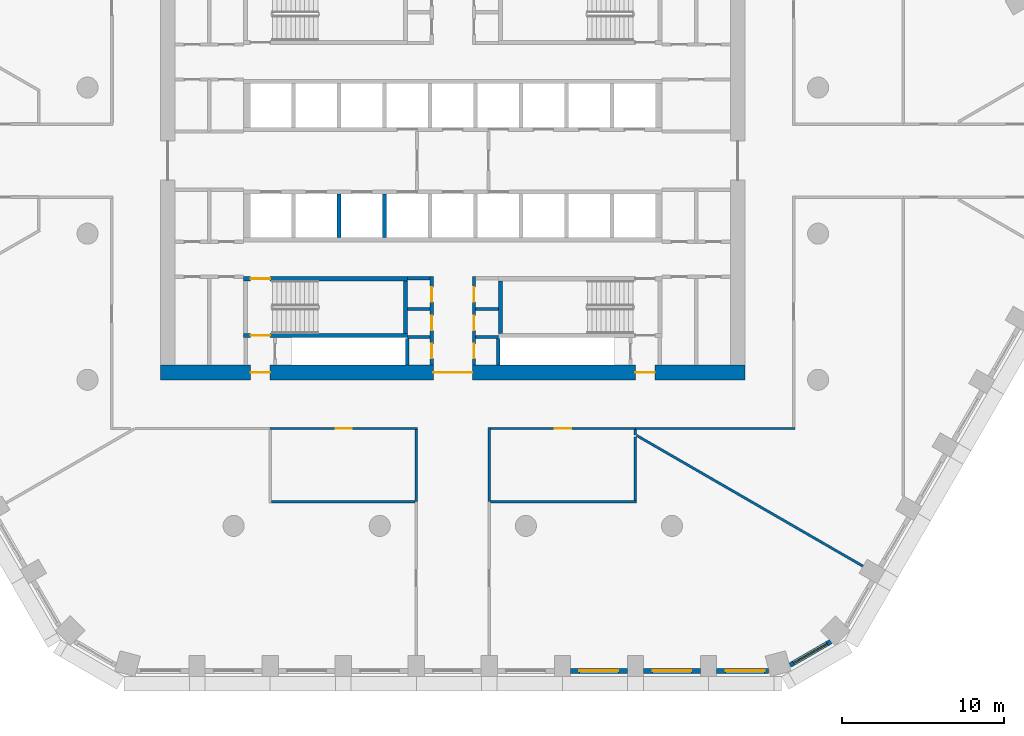
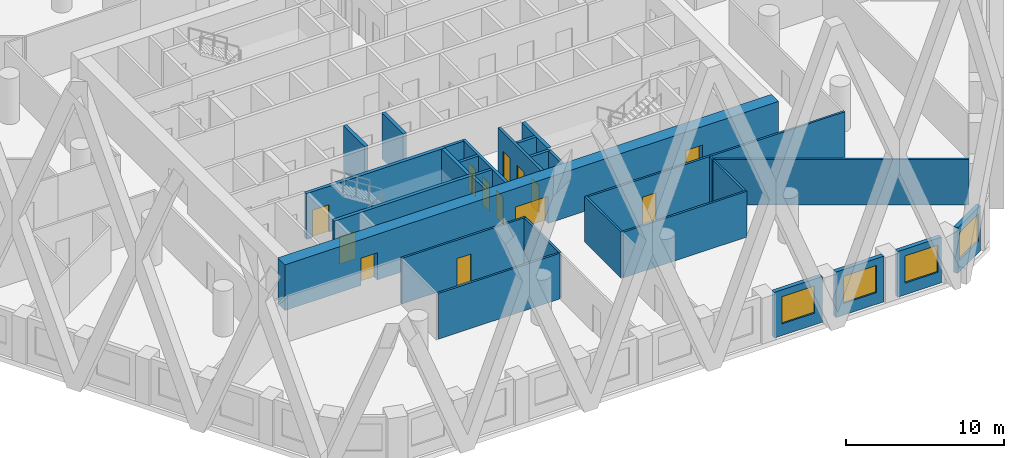
# One storey, part 3 of 18: 30 walls, 13 doors, 4 windows, 17 openings.
"""IFC4 building model written with IfcOpenShell, lengths in metres."""

from ifc_helpers import new_model, si_unit, direction, frame, frame_2d, origin, place, context, subcontext, project, spatial, polyline, rectangle, outline, extrude, material, layer, layer_set, type_object, element, fill, save


model = new_model("IFC4")

# Units and contexts
model_context = context("Model", 3, precision=1e-05, world=origin(), true_north=direction((0.0, 1.0)))
body_context = subcontext(model_context, "Body", "Model", "MODEL_VIEW")
ifc_project = project(units=[si_unit("LENGTHUNIT", "METRE"), si_unit("AREAUNIT", "SQUARE_METRE"), si_unit("VOLUMEUNIT", "CUBIC_METRE"), si_unit("PLANEANGLEUNIT", "RADIAN"), si_unit("MASSUNIT", "GRAM", prefix="KILO")], contexts=[model_context])

# Site, building, storey
site_placement = place(None, origin())
site = spatial("IfcSite", under=ifc_project, at=site_placement, CompositionType="ELEMENT")
building_placement = place(site_placement, origin())
building = spatial("IfcBuilding", under=site, at=building_placement, Name="Dhurran Vertical Campus", CompositionType="ELEMENT")
storey_placement = place(building_placement, frame((0.0, 0.0, 104.699951171875)))
storey = spatial("IfcBuildingStorey", under=building, at=storey_placement, Name="L25", CompositionType="ELEMENT", Elevation=104.699951171875)

# Wall, opening, window
ifc_material_1 = material(Name="Precast concrete C50/60", Category="concrete")
ifc_layer_1 = layer(ifc_material_1, 0.300048828125)
ifc_layer_set_1 = layer_set([ifc_layer_1], Name="Precast concrete C50/60")
wall_type_1 = type_object("IfcWallType", Name="Precast spandrel wall 300", PredefinedType="SOLIDWALL", material=ifc_layer_set_1)
wall_1_placement = place(storey_placement, frame((7.25048828125, -31.4296875, 0.0), z_axis=(0.0, 0.0, 1.0), x_axis=(1.0, 0.0, 0.0)))
wall_1 = element("IfcWall", 1, at=wall_1_placement, inside=storey, type_object=wall_type_1, Name="EW1 L25.06", PredefinedType="SOLIDWALL", context=body_context, shape_type="SweptSolid", body=[
    extrude(rectangle(XDim=3.4990234375, YDim=0.300048828125, at=frame_2d((1.74951171875, 0.0))), origin(), (0.0, 0.0, 1.0), 3.525146484375),
])
opening_1_placement = place(wall_1_placement, frame((0.549560546875, 0.0, 0.89990234375)))
opening_1 = element("IfcOpeningElement", 2, at=opening_1_placement, cuts=wall_1, Name="Opening WT1", PredefinedType="OPENING", context=body_context, shape_type="SweptSolid", body=[
    extrude(rectangle(XDim=2.39990234375, YDim=2.10009765625, at=frame_2d((1.199951171875, 1.050048828125))), frame((0.0, 0.159912109375, 0.0), z_axis=(0.0, -1.0, 0.0), x_axis=(1.0, 0.0, 0.0)), (0.0, 0.0, 1.0), 0.320068359375),
])
ifc_material_2 = material(Name="Aluminium frame with solar-control glass", Category="aluminium")
window_type = type_object("IfcWindowType", Name="Punched window 2400 x 2100", PartitioningType="SINGLE_PANEL", PredefinedType="WINDOW", material=ifc_material_2)
window_1_placement = place(opening_1_placement, origin())
window_1 = element("IfcWindow", 3, at=window_1_placement, inside=storey, type_object=window_type, Name="WT1 L25.06", OverallHeight=2.10009765625, OverallWidth=2.39990234375, PartitioningType="SINGLE_PANEL", PredefinedType="WINDOW", context=body_context, shape_type="SweptSolid", body=[
    extrude(rectangle(XDim=2.39990234375, YDim=2.10009765625, at=frame_2d((1.199951171875, 1.050048828125))), frame((0.0, 0.030029296875, 0.0), z_axis=(0.0, -1.0, 0.0), x_axis=(1.0, 0.0, 0.0)), (0.0, 0.0, 1.0), 0.06005859375),
])
fill(opening_1, window_1)

wall_2_placement = place(storey_placement, frame((11.75048828125, -31.4296875, 0.0), z_axis=(0.0, 0.0, 1.0), x_axis=(1.0, 0.0, 0.0)))
wall_2 = element("IfcWall", 4, at=wall_2_placement, inside=storey, type_object=wall_type_1, Name="EW1 L25.07", PredefinedType="SOLIDWALL", context=body_context, shape_type="SweptSolid", body=[
    extrude(rectangle(XDim=3.4990234375, YDim=0.300048828125, at=frame_2d((1.74951171875, 0.0))), origin(), (0.0, 0.0, 1.0), 3.525146484375),
])
opening_2_placement = place(wall_2_placement, frame((0.549560546875, 0.0, 0.89990234375)))
opening_2 = element("IfcOpeningElement", 5, at=opening_2_placement, cuts=wall_2, Name="Opening WT1", PredefinedType="OPENING", context=body_context, shape_type="SweptSolid", body=[
    extrude(rectangle(XDim=2.39990234375, YDim=2.10009765625, at=frame_2d((1.199951171875, 1.050048828125))), frame((0.0, 0.159912109375, 0.0), z_axis=(0.0, -1.0, 0.0), x_axis=(1.0, 0.0, 0.0)), (0.0, 0.0, 1.0), 0.320068359375),
])
window_2_placement = place(opening_2_placement, origin())
window_2 = element("IfcWindow", 6, at=window_2_placement, inside=storey, type_object=window_type, Name="WT1 L25.07", OverallHeight=2.10009765625, OverallWidth=2.39990234375, PartitioningType="SINGLE_PANEL", PredefinedType="WINDOW", context=body_context, shape_type="SweptSolid", body=[
    extrude(rectangle(XDim=2.39990234375, YDim=2.10009765625, at=frame_2d((1.199951171875, 1.050048828125))), frame((0.0, 0.030029296875, 0.0), z_axis=(0.0, -1.0, 0.0), x_axis=(1.0, 0.0, 0.0)), (0.0, 0.0, 1.0), 0.06005859375),
])
fill(opening_2, window_2)

wall_3_placement = place(storey_placement, frame((16.25048828125, -31.4296875, 0.0), z_axis=(0.0, 0.0, 1.0), x_axis=(1.0, 0.0, 0.0)))
wall_3 = element("IfcWall", 7, at=wall_3_placement, inside=storey, type_object=wall_type_1, Name="EW1 L25.08", PredefinedType="SOLIDWALL", context=body_context, shape_type="SweptSolid", body=[
    extrude(rectangle(XDim=3.1923828125, YDim=0.300048828125, at=frame_2d((1.59619140625, 0.0))), origin(), (0.0, 0.0, 1.0), 3.525146484375),
])
opening_3_placement = place(wall_3_placement, frame((0.549560546875, 0.0, 0.89990234375)))
opening_3 = element("IfcOpeningElement", 8, at=opening_3_placement, cuts=wall_3, Name="Opening WT1", PredefinedType="OPENING", context=body_context, shape_type="SweptSolid", body=[
    extrude(rectangle(XDim=2.39990234375, YDim=2.10009765625, at=frame_2d((1.199951171875, 1.050048828125))), frame((0.0, 0.159912109375, 0.0), z_axis=(0.0, -1.0, 0.0), x_axis=(1.0, 0.0, 0.0)), (0.0, 0.0, 1.0), 0.320068359375),
])
window_3_placement = place(opening_3_placement, origin())
window_3 = element("IfcWindow", 9, at=window_3_placement, inside=storey, type_object=window_type, Name="WT1 L25.08", OverallHeight=2.10009765625, OverallWidth=2.39990234375, PartitioningType="SINGLE_PANEL", PredefinedType="WINDOW", context=body_context, shape_type="SweptSolid", body=[
    extrude(rectangle(XDim=2.39990234375, YDim=2.10009765625, at=frame_2d((1.199951171875, 1.050048828125))), frame((0.0, 0.030029296875, 0.0), z_axis=(0.0, -1.0, 0.0), x_axis=(1.0, 0.0, 0.0)), (0.0, 0.0, 1.0), 0.06005859375),
])
fill(opening_3, window_3)

wall_4_placement = place(storey_placement, frame((20.774169921875, -31.072998046875, 0.0), z_axis=(0.0, 0.0, 1.0), x_axis=(0.866053149362, 0.49995194017, 0.0)))
wall_4 = element("IfcWall", 10, at=wall_4_placement, inside=storey, type_object=wall_type_1, Name="EW1 L25.09", PredefinedType="SOLIDWALL", context=body_context, shape_type="SweptSolid", body=[
    extrude(rectangle(XDim=2.885498046875, YDim=0.300048828125, at=frame_2d((1.44287109375, 0.0))), origin(), (0.0, 0.0, 1.0), 3.525146484375),
])
opening_4_placement = place(wall_4_placement, frame((0.242919921875, 0.0, 0.89990234375)))
opening_4 = element("IfcOpeningElement", 11, at=opening_4_placement, cuts=wall_4, Name="Opening WT1", PredefinedType="OPENING", context=body_context, shape_type="SweptSolid", body=[
    extrude(rectangle(XDim=2.39990234375, YDim=2.10009765625, at=frame_2d((1.199951171875, 1.050048828125))), frame((0.0, 0.159912109375, 0.0), z_axis=(0.0, -1.0, 0.0), x_axis=(1.0, 0.0, 0.0)), (0.0, 0.0, 1.0), 0.320068359375),
])
window_4_placement = place(opening_4_placement, origin())
window_4 = element("IfcWindow", 12, at=window_4_placement, inside=storey, type_object=window_type, Name="WT1 L25.09", OverallHeight=2.10009765625, OverallWidth=2.39990234375, PartitioningType="SINGLE_PANEL", PredefinedType="WINDOW", context=body_context, shape_type="SweptSolid", body=[
    extrude(rectangle(XDim=2.39990234375, YDim=2.10009765625, at=frame_2d((1.199951171875, 1.050048828125))), frame((0.0, 0.030029296875, 0.0), z_axis=(0.0, -1.0, 0.0), x_axis=(1.0, 0.0, 0.0)), (0.0, 0.0, 1.0), 0.06005859375),
])
fill(opening_4, window_4)

# Wall, openings, doors
ifc_material_3 = material(Name="Concrete C60/75", Category="concrete")
ifc_layer_2 = layer(ifc_material_3, 0.89990234375)
ifc_layer_set_2 = layer_set([ifc_layer_2], Name="Concrete C60/75")
wall_type_2 = type_object("IfcWallType", Name="co-CORE-WALL-C0-900", PredefinedType="SHEAR", material=ifc_layer_set_2)
wall_5_placement = place(storey_placement, frame((-18.0, -13.050048828125, 0.0), z_axis=(0.0, 0.0, 1.0), x_axis=(1.0, 0.0, 0.0)))
wall_5 = element("IfcWall", 13, at=wall_5_placement, inside=storey, type_object=wall_type_2, Name="Core wall S L25", PredefinedType="SHEAR", context=body_context, shape_type="SweptSolid", body=[
    extrude(rectangle(XDim=36.0, YDim=0.89990234375, at=frame_2d((18.0, 0.0))), origin(), (0.0, 0.0, 1.0), 3.525146484375),
])
opening_5_placement = place(wall_5_placement, frame((16.800048828125, 0.0, 0.0)))
opening_5 = element("IfcOpeningElement", 14, at=opening_5_placement, cuts=wall_5, Name="Opening CV2", PredefinedType="OPENING", context=body_context, shape_type="SweptSolid", body=[
    extrude(rectangle(XDim=2.39990234375, YDim=2.10009765625, at=frame_2d((1.199951171875, 1.050048828125))), frame((0.0, 0.4599609375, 0.0), z_axis=(0.0, -1.0, 0.0), x_axis=(1.0, 0.0, 0.0)), (0.0, 0.0, 1.0), 0.919921875),
])
opening_6_placement = place(wall_5_placement, frame((5.550048828125, 0.0, 0.0)))
opening_6 = element("IfcOpeningElement", 15, at=opening_6_placement, cuts=wall_5, Name="Opening XD3", PredefinedType="OPENING", context=body_context, shape_type="SweptSolid", body=[
    extrude(rectangle(XDim=1.199951171875, YDim=2.10009765625, at=frame_2d((0.60009765625, 1.050048828125))), frame((0.0, 0.4599609375, 0.0), z_axis=(0.0, -1.0, 0.0), x_axis=(1.0, 0.0, 0.0)), (0.0, 0.0, 1.0), 0.919921875),
])
opening_7_placement = place(wall_5_placement, frame((29.25, 0.0, 0.0)))
opening_7 = element("IfcOpeningElement", 16, at=opening_7_placement, cuts=wall_5, Name="Opening XD4", PredefinedType="OPENING", context=body_context, shape_type="SweptSolid", body=[
    extrude(rectangle(XDim=1.199951171875, YDim=2.10009765625, at=frame_2d((0.60009765625, 1.050048828125))), frame((0.0, 0.4599609375, 0.0), z_axis=(0.0, -1.0, 0.0), x_axis=(1.0, 0.0, 0.0)), (0.0, 0.0, 1.0), 0.919921875),
])
ifc_material_4 = material(Name="Fire-rated glazed door set")
door_type_1 = type_object("IfcDoorType", Name="co-D-LOBBY 2400x2100", OperationType="DOUBLE_DOOR_DOUBLE_SWING", PredefinedType="DOOR", material=ifc_material_4)
door_1_placement = place(opening_5_placement, origin())
door_1 = element("IfcDoor", 17, at=door_1_placement, inside=storey, type_object=door_type_1, Name="Core vestibule door S L25", OperationType="DOUBLE_DOOR_DOUBLE_SWING", OverallHeight=2.10009765625, OverallWidth=2.39990234375, PredefinedType="DOOR", context=body_context, shape_type="SweptSolid", body=[
    extrude(rectangle(XDim=2.39990234375, YDim=2.10009765625, at=frame_2d((1.199951171875, 1.050048828125))), frame((0.0, 0.02490234375, 0.0), z_axis=(0.0, -1.0, 0.0), x_axis=(1.0, 0.0, 0.0)), (0.0, 0.0, 1.0), 0.050048828125),
])
fill(opening_5, door_1)
ifc_material_5 = material(Name="Fire-rated steel door set", Category="steel")
door_type_2 = type_object("IfcDoorType", Name="co-D-STAIR-EXIT 1200x2100", OperationType="SINGLE_SWING_RIGHT", PredefinedType="DOOR", material=ifc_material_5)
door_2_placement = place(opening_6_placement, origin())
door_2 = element("IfcDoor", 18, at=door_2_placement, inside=storey, type_object=door_type_2, Name="Stair ST3 exit door L25", OperationType="SINGLE_SWING_RIGHT", OverallHeight=2.10009765625, OverallWidth=1.199951171875, PredefinedType="DOOR", context=body_context, shape_type="SweptSolid", body=[
    extrude(rectangle(XDim=1.199951171875, YDim=2.10009765625, at=frame_2d((0.60009765625, 1.050048828125))), frame((0.0, 0.02490234375, 0.0), z_axis=(0.0, -1.0, 0.0), x_axis=(1.0, 0.0, 0.0)), (0.0, 0.0, 1.0), 0.050048828125),
])
fill(opening_6, door_2)
door_3_placement = place(opening_7_placement, origin())
door_3 = element("IfcDoor", 19, at=door_3_placement, inside=storey, type_object=door_type_2, Name="Stair ST4 exit door L25", OperationType="SINGLE_SWING_RIGHT", OverallHeight=2.10009765625, OverallWidth=1.199951171875, PredefinedType="DOOR", context=body_context, shape_type="SweptSolid", body=[
    extrude(rectangle(XDim=1.199951171875, YDim=2.10009765625, at=frame_2d((0.60009765625, 1.050048828125))), frame((0.0, 0.02490234375, 0.0), z_axis=(0.0, -1.0, 0.0), x_axis=(1.0, 0.0, 0.0)), (0.0, 0.0, 1.0), 0.050048828125),
])
fill(opening_7, door_3)

# Walls
ifc_material_6 = material(Name="Fire-rated masonry blockwork", Category="masonry")
ifc_layer_3 = layer(ifc_material_6, 0.199951171875)
ifc_layer_set_3 = layer_set([ifc_layer_3], Name="Fire-rated masonry blockwork")
wall_type_3 = type_object("IfcWallType", Name="co-FIRE-PARTITION-200", PredefinedType="PARTITIONING", material=ifc_layer_set_3)
for number, where, z_axis, x_axis, name in (
    (20, (-2.800048828125, -7.25, 0.0), (0.0, 0.0, 1.0), (1.0, 0.0, 0.0), "Core partition sl-SW-S L25"),
    (21, (-2.800048828125, -9.135009765625, 0.0), (0.0, 0.0, 1.0), (1.0, 0.0, 0.0), "Core partition sl-SW-cut0 L25"),
    (22, (-2.800048828125, -10.867431640625, 0.0), (0.0, 0.0, 1.0), (1.0, 0.0, 0.0), "Core partition sl-SW-cut1 L25"),
    (23, (1.39990234375, -9.135009765625, 0.0), (0.0, 0.0, 1.0), (1.0, 0.0, 0.0), "Core partition sl-SE-cut0 L25"),
    (24, (1.39990234375, -10.867431640625, 0.0), (0.0, 0.0, 1.0), (1.0, 0.0, 0.0), "Core partition sl-SE-cut1 L25"),
):
    element("IfcWall", number, at=place(storey_placement, frame(where, z_axis=z_axis, x_axis=x_axis)), inside=storey, type_object=wall_type_3, Name=name, PredefinedType="PARTITIONING", context=body_context, shape_type="SweptSolid", body=[
        extrude(rectangle(XDim=1.400146484375, YDim=0.199951171875, at=frame_2d((0.7001953125, 0.0))), origin(), (0.0, 0.0, 1.0), 3.525146484375),
    ])

# Wall, openings, doors
wall_6_placement = place(storey_placement, frame((-1.300048828125, -12.60009765625, 0.0), z_axis=(0.0, 0.0, 1.0), x_axis=(0.0, 1.0, 0.0)))
wall_6 = element("IfcWall", 25, at=wall_6_placement, inside=storey, type_object=wall_type_3, Name="Core partition vest-SW L25", PredefinedType="PARTITIONING", context=body_context, shape_type="SweptSolid", body=[
    extrude(rectangle(XDim=5.4501953125, YDim=0.199951171875, at=frame_2d((2.72509765625, 0.0))), origin(), (0.0, 0.0, 1.0), 3.525146484375),
])
opening_8_placement = place(wall_6_placement, frame((0.416259765625, 0.0, 0.0)))
opening_8 = element("IfcOpeningElement", 26, at=opening_8_placement, cuts=wall_6, Name="Opening T07-C1", PredefinedType="OPENING", context=body_context, shape_type="SweptSolid", body=[
    extrude(rectangle(XDim=0.89990234375, YDim=2.10009765625, at=frame_2d((0.449951171875, 1.050048828125))), frame((0.0, 0.10986328125, 0.0), z_axis=(0.0, -1.0, 0.0), x_axis=(1.0, 0.0, 0.0)), (0.0, 0.0, 1.0), 0.219970703125),
])
opening_9_placement = place(wall_6_placement, frame((2.148681640625, 0.0, 0.0)))
opening_9 = element("IfcOpeningElement", 27, at=opening_9_placement, cuts=wall_6, Name="Opening T07-C2", PredefinedType="OPENING", context=body_context, shape_type="SweptSolid", body=[
    extrude(rectangle(XDim=0.89990234375, YDim=2.10009765625, at=frame_2d((0.449951171875, 1.050048828125))), frame((0.0, 0.10986328125, 0.0), z_axis=(0.0, -1.0, 0.0), x_axis=(1.0, 0.0, 0.0)), (0.0, 0.0, 1.0), 0.219970703125),
])
opening_10_placement = place(wall_6_placement, frame((3.907470703125, 0.0, 0.0)))
opening_10 = element("IfcOpeningElement", 28, at=opening_10_placement, cuts=wall_6, Name="Opening T07-C3", PredefinedType="OPENING", context=body_context, shape_type="SweptSolid", body=[
    extrude(rectangle(XDim=0.89990234375, YDim=2.10009765625, at=frame_2d((0.449951171875, 1.050048828125))), frame((0.0, 0.10986328125, 0.0), z_axis=(0.0, -1.0, 0.0), x_axis=(1.0, 0.0, 0.0)), (0.0, 0.0, 1.0), 0.219970703125),
])
ifc_material_7 = material(Name="Fire-rated timber door set", Category="wood")
door_type_3 = type_object("IfcDoorType", Name="co-D-ROOM 900x2100", OperationType="SINGLE_SWING_LEFT", PredefinedType="DOOR", material=ifc_material_7)
door_4_placement = place(opening_8_placement, origin())
door_4 = element("IfcDoor", 29, at=door_4_placement, inside=storey, type_object=door_type_3, Name="Print room door L25", OperationType="SINGLE_SWING_LEFT", OverallHeight=2.10009765625, OverallWidth=0.89990234375, PredefinedType="DOOR", context=body_context, shape_type="SweptSolid", body=[
    extrude(rectangle(XDim=0.89990234375, YDim=2.10009765625, at=frame_2d((0.449951171875, 1.050048828125))), frame((0.0, 0.02490234375, 0.0), z_axis=(0.0, -1.0, 0.0), x_axis=(1.0, 0.0, 0.0)), (0.0, 0.0, 1.0), 0.050048828125),
])
fill(opening_8, door_4)
door_5_placement = place(opening_9_placement, origin())
door_5 = element("IfcDoor", 30, at=door_5_placement, inside=storey, type_object=door_type_3, Name="Server room door L25", OperationType="SINGLE_SWING_LEFT", OverallHeight=2.10009765625, OverallWidth=0.89990234375, PredefinedType="DOOR", context=body_context, shape_type="SweptSolid", body=[
    extrude(rectangle(XDim=0.89990234375, YDim=2.10009765625, at=frame_2d((0.449951171875, 1.050048828125))), frame((0.0, 0.02490234375, 0.0), z_axis=(0.0, -1.0, 0.0), x_axis=(1.0, 0.0, 0.0)), (0.0, 0.0, 1.0), 0.050048828125),
])
fill(opening_9, door_5)
door_6_placement = place(opening_10_placement, origin())
door_6 = element("IfcDoor", 31, at=door_6_placement, inside=storey, type_object=door_type_3, Name="Cleaner's store door L25", OperationType="SINGLE_SWING_LEFT", OverallHeight=2.10009765625, OverallWidth=0.89990234375, PredefinedType="DOOR", context=body_context, shape_type="SweptSolid", body=[
    extrude(rectangle(XDim=0.89990234375, YDim=2.10009765625, at=frame_2d((0.449951171875, 1.050048828125))), frame((0.0, 0.02490234375, 0.0), z_axis=(0.0, -1.0, 0.0), x_axis=(1.0, 0.0, 0.0)), (0.0, 0.0, 1.0), 0.050048828125),
])
fill(opening_10, door_6)

wall_7_placement = place(storey_placement, frame((1.300048828125, -12.60009765625, 0.0), z_axis=(0.0, 0.0, 1.0), x_axis=(0.0, 1.0, 0.0)))
wall_7 = element("IfcWall", 32, at=wall_7_placement, inside=storey, type_object=wall_type_3, Name="Core partition vest-SE L25", PredefinedType="PARTITIONING", context=body_context, shape_type="SweptSolid", body=[
    extrude(rectangle(XDim=5.4501953125, YDim=0.199951171875, at=frame_2d((2.72509765625, 0.0))), origin(), (0.0, 0.0, 1.0), 3.525146484375),
])
opening_11_placement = place(wall_7_placement, frame((0.416259765625, 0.0, 0.0)))
opening_11 = element("IfcOpeningElement", 33, at=opening_11_placement, cuts=wall_7, Name="Opening T07-C4", PredefinedType="OPENING", context=body_context, shape_type="SweptSolid", body=[
    extrude(rectangle(XDim=0.89990234375, YDim=2.10009765625, at=frame_2d((0.449951171875, 1.050048828125))), frame((0.0, 0.10986328125, 0.0), z_axis=(0.0, -1.0, 0.0), x_axis=(1.0, 0.0, 0.0)), (0.0, 0.0, 1.0), 0.219970703125),
])
opening_12_placement = place(wall_7_placement, frame((2.148681640625, 0.0, 0.0)))
opening_12 = element("IfcOpeningElement", 34, at=opening_12_placement, cuts=wall_7, Name="Opening T07-C5", PredefinedType="OPENING", context=body_context, shape_type="SweptSolid", body=[
    extrude(rectangle(XDim=0.89990234375, YDim=2.10009765625, at=frame_2d((0.449951171875, 1.050048828125))), frame((0.0, 0.10986328125, 0.0), z_axis=(0.0, -1.0, 0.0), x_axis=(1.0, 0.0, 0.0)), (0.0, 0.0, 1.0), 0.219970703125),
])
opening_13_placement = place(wall_7_placement, frame((3.907470703125, 0.0, 0.0)))
opening_13 = element("IfcOpeningElement", 35, at=opening_13_placement, cuts=wall_7, Name="Opening T07-C6", PredefinedType="OPENING", context=body_context, shape_type="SweptSolid", body=[
    extrude(rectangle(XDim=0.89990234375, YDim=2.10009765625, at=frame_2d((0.449951171875, 1.050048828125))), frame((0.0, 0.10986328125, 0.0), z_axis=(0.0, -1.0, 0.0), x_axis=(1.0, 0.0, 0.0)), (0.0, 0.0, 1.0), 0.219970703125),
])
door_7_placement = place(opening_11_placement, origin())
door_7 = element("IfcDoor", 36, at=door_7_placement, inside=storey, type_object=door_type_3, Name="Electrical riser door L25", OperationType="SINGLE_SWING_LEFT", OverallHeight=2.10009765625, OverallWidth=0.89990234375, PredefinedType="DOOR", context=body_context, shape_type="SweptSolid", body=[
    extrude(rectangle(XDim=0.89990234375, YDim=2.10009765625, at=frame_2d((0.449951171875, 1.050048828125))), frame((0.0, 0.02490234375, 0.0), z_axis=(0.0, -1.0, 0.0), x_axis=(1.0, 0.0, 0.0)), (0.0, 0.0, 1.0), 0.050048828125),
])
fill(opening_11, door_7)
door_8_placement = place(opening_12_placement, origin())
door_8 = element("IfcDoor", 37, at=door_8_placement, inside=storey, type_object=door_type_3, Name="Fire equipment store door L25", OperationType="SINGLE_SWING_LEFT", OverallHeight=2.10009765625, OverallWidth=0.89990234375, PredefinedType="DOOR", context=body_context, shape_type="SweptSolid", body=[
    extrude(rectangle(XDim=0.89990234375, YDim=2.10009765625, at=frame_2d((0.449951171875, 1.050048828125))), frame((0.0, 0.02490234375, 0.0), z_axis=(0.0, -1.0, 0.0), x_axis=(1.0, 0.0, 0.0)), (0.0, 0.0, 1.0), 0.050048828125),
])
fill(opening_12, door_8)
door_9_placement = place(opening_13_placement, origin())
door_9 = element("IfcDoor", 38, at=door_9_placement, inside=storey, type_object=door_type_3, Name="Pantry door L25", OperationType="SINGLE_SWING_LEFT", OverallHeight=2.10009765625, OverallWidth=0.89990234375, PredefinedType="DOOR", context=body_context, shape_type="SweptSolid", body=[
    extrude(rectangle(XDim=0.89990234375, YDim=2.10009765625, at=frame_2d((0.449951171875, 1.050048828125))), frame((0.0, 0.02490234375, 0.0), z_axis=(0.0, -1.0, 0.0), x_axis=(1.0, 0.0, 0.0)), (0.0, 0.0, 1.0), 0.050048828125),
])
fill(opening_13, door_9)

# Walls
for number, where, z_axis, x_axis, name in (
    (39, (-2.800048828125, -12.59912109375, 0.0), (0.0, 0.0, 1.0), (0.0, 1.0, 0.0), "Riser enclosure wall L25"),
    (40, (2.800048828125, -12.59912109375, 0.0), (0.0, 0.0, 1.0), (0.0, 1.0, 0.0), "Riser enclosure wall L25"),
):
    element("IfcWall", number, at=place(storey_placement, frame(where, z_axis=z_axis, x_axis=x_axis)), inside=storey, type_object=wall_type_3, Name=name, PredefinedType="PARTITIONING", context=body_context, shape_type="SweptSolid", body=[
        extrude(rectangle(XDim=1.630615234375, YDim=0.199951171875, at=frame_2d((0.8154296875, 0.0))), origin(), (0.0, 0.0, 1.0), 3.525146484375),
    ])
ifc_material_8 = material(Name="Concrete C50/60", Category="concrete")
ifc_layer_4 = layer(ifc_material_8, 0.25)
ifc_layer_set_4 = layer_set([ifc_layer_4], Name="Concrete C50/60")
wall_type_4 = type_object("IfcWallType", Name="co-SHAFT-MASS-250", PredefinedType="SHEAR", material=ifc_layer_set_4)
wall_8_placement = place(storey_placement, origin())
element("IfcWall", 41, at=wall_8_placement, inside=storey, type_object=wall_type_4, Name="Lift shaft wall S L25 4", PredefinedType="SHEAR", context=body_context, shape_type="SweptSolid", body=[
    extrude(outline(polyline([(-7.125, -4.75), (-6.875, -4.75), (-6.875, -2.050048828125), (-7.125, -2.050048828125), (-7.125, -4.75)])), origin(), (0.0, 0.0, 1.0), 3.525146484375),
])
wall_9_placement = place(storey_placement, origin())
element("IfcWall", 42, at=wall_9_placement, inside=storey, type_object=wall_type_4, Name="Lift shaft wall S L25 5", PredefinedType="SHEAR", context=body_context, shape_type="SweptSolid", body=[
    extrude(outline(polyline([(-4.324951171875, -4.75), (-4.074951171875, -4.75), (-4.074951171875, -2.050048828125), (-4.324951171875, -2.050048828125), (-4.324951171875, -4.75)])), origin(), (0.0, 0.0, 1.0), 3.525146484375),
])

# Wall, opening, door
ifc_material_9 = material(Name="Concrete C40/50", Category="concrete")
ifc_layer_5 = layer(ifc_material_9, 0.25)
ifc_layer_set_5 = layer_set([ifc_layer_5], Name="Concrete C40/50")
wall_type_5 = type_object("IfcWallType", Name="co-STAIR-WALL-250", PredefinedType="SHEAR", material=ifc_layer_set_5)
wall_10_placement = place(storey_placement, frame((-12.89990234375, -10.77490234375, 0.0), z_axis=(0.0, 0.0, 1.0), x_axis=(1.0, 0.0, 0.0)))
wall_10 = element("IfcWall", 43, at=wall_10_placement, inside=storey, type_object=wall_type_5, Name="Stair ST3 enclosure wall L25", PredefinedType="SHEAR", context=body_context, shape_type="SweptSolid", body=[
    extrude(rectangle(XDim=10.099853515625, YDim=0.25, at=frame_2d((5.0498046875, 0.0))), origin(), (0.0, 0.0, 1.0), 3.525146484375),
])
opening_14_placement = place(wall_10_placement, frame((0.449951171875, 0.0, 0.0)))
opening_14 = element("IfcOpeningElement", 44, at=opening_14_placement, cuts=wall_10, Name="Opening XS3", PredefinedType="OPENING", context=body_context, shape_type="SweptSolid", body=[
    extrude(rectangle(XDim=1.199951171875, YDim=2.10009765625, at=frame_2d((0.60009765625, 1.050048828125))), frame((0.0, 0.135009765625, 0.0), z_axis=(0.0, -1.0, 0.0), x_axis=(1.0, 0.0, 0.0)), (0.0, 0.0, 1.0), 0.27001953125),
])
door_10_placement = place(opening_14_placement, origin())
door_10 = element("IfcDoor", 45, at=door_10_placement, inside=storey, type_object=door_type_2, Name="Stair ST3 discharge door L25", OperationType="SINGLE_SWING_RIGHT", OverallHeight=2.10009765625, OverallWidth=1.199951171875, PredefinedType="DOOR", context=body_context, shape_type="SweptSolid", body=[
    extrude(rectangle(XDim=1.199951171875, YDim=2.10009765625, at=frame_2d((0.60009765625, 1.050048828125))), frame((0.0, 0.02490234375, 0.0), z_axis=(0.0, -1.0, 0.0), x_axis=(1.0, 0.0, 0.0)), (0.0, 0.0, 1.0), 0.050048828125),
])
fill(opening_14, door_10)

wall_11_placement = place(storey_placement, frame((-12.89990234375, -7.27490234375, 0.0), z_axis=(0.0, 0.0, 1.0), x_axis=(1.0, 0.0, 0.0)))
wall_11 = element("IfcWall", 46, at=wall_11_placement, inside=storey, type_object=wall_type_5, Name="Stair ST3 enclosure wall L25", PredefinedType="SHEAR", context=body_context, shape_type="SweptSolid", body=[
    extrude(rectangle(XDim=10.099853515625, YDim=0.25, at=frame_2d((5.0498046875, 0.0))), origin(), (0.0, 0.0, 1.0), 3.525146484375),
])
opening_15_placement = place(wall_11_placement, frame((0.449951171875, 0.0, 0.0)))
opening_15 = element("IfcOpeningElement", 47, at=opening_15_placement, cuts=wall_11, Name="Opening SD3", PredefinedType="OPENING", context=body_context, shape_type="SweptSolid", body=[
    extrude(rectangle(XDim=1.199951171875, YDim=2.10009765625, at=frame_2d((0.60009765625, 1.050048828125))), frame((0.0, 0.135009765625, 0.0), z_axis=(0.0, -1.0, 0.0), x_axis=(1.0, 0.0, 0.0)), (0.0, 0.0, 1.0), 0.27001953125),
])
ifc_material_10 = material(Name="Fire-rated steel door set", Category="steel")
door_type_4 = type_object("IfcDoorType", Name="co-D-STAIR 1200x2100", OperationType="SINGLE_SWING_LEFT", PredefinedType="DOOR", material=ifc_material_10)
door_11_placement = place(opening_15_placement, origin())
door_11 = element("IfcDoor", 48, at=door_11_placement, inside=storey, type_object=door_type_4, Name="Stair ST3 door L25", OperationType="SINGLE_SWING_LEFT", OverallHeight=2.10009765625, OverallWidth=1.199951171875, PredefinedType="DOOR", context=body_context, shape_type="SweptSolid", body=[
    extrude(rectangle(XDim=1.199951171875, YDim=2.10009765625, at=frame_2d((0.60009765625, 1.050048828125))), frame((0.0, 0.02490234375, 0.0), z_axis=(0.0, -1.0, 0.0), x_axis=(1.0, 0.0, 0.0)), (0.0, 0.0, 1.0), 0.050048828125),
])
fill(opening_15, door_11)

# Walls
for number, where, z_axis, x_axis, name in (
    (49, (-2.925048828125, -10.64990234375, 0.0), (0.0, 0.0, 1.0), (0.0, 1.0, 0.0), "Stair ST3 enclosure wall L25"),
    (50, (2.925048828125, -10.64990234375, 0.0), (0.0, 0.0, 1.0), (0.0, 1.0, 0.0), "Stair ST4 enclosure wall L25"),
):
    element("IfcWall", number, at=place(storey_placement, frame(where, z_axis=z_axis, x_axis=x_axis)), inside=storey, type_object=wall_type_5, Name=name, PredefinedType="SHEAR", context=body_context, shape_type="SweptSolid", body=[
        extrude(rectangle(XDim=3.25, YDim=0.25, at=frame_2d((1.625, 0.0))), origin(), (0.0, 0.0, 1.0), 3.525146484375),
    ])

# Wall, opening, door
ifc_material_11 = material(Name="Gypsum board corridor wall on steel studs", Category="steel")
ifc_layer_6 = layer(ifc_material_11, 0.14990234375)
ifc_layer_set_6 = layer_set([ifc_layer_6], Name="Gypsum board corridor wall on steel studs")
wall_type_6 = type_object("IfcWallType", Name="fl-CW-150 corridor wall", PredefinedType="PARTITIONING", material=ifc_layer_set_6)
wall_12_placement = place(storey_placement, frame((-11.25, -16.5, 0.0), z_axis=(0.0, 0.0, 1.0), x_axis=(1.0, 0.0, 0.0)))
wall_12 = element("IfcWall", 51, at=wall_12_placement, inside=storey, type_object=wall_type_6, Name="Partition 25-25", PredefinedType="PARTITIONING", context=body_context, shape_type="SweptSolid", body=[
    extrude(rectangle(XDim=9.074951171875, YDim=0.14990234375, at=frame_2d((4.53759765625, 0.0))), origin(), (0.0, 0.0, 1.0), 3.525146484375),
])
opening_16_placement = place(wall_12_placement, frame((4.03759765625, 0.0, 0.0)))
opening_16 = element("IfcOpeningElement", 52, at=opening_16_placement, cuts=wall_12, Name="Opening T07.09", PredefinedType="OPENING", context=body_context, shape_type="SweptSolid", body=[
    extrude(rectangle(XDim=1.0, YDim=2.10009765625, at=frame_2d((0.5, 1.050048828125))), frame((0.0, 0.0849609375, 0.0), z_axis=(0.0, -1.0, 0.0), x_axis=(1.0, 0.0, 0.0)), (0.0, 0.0, 1.0), 0.169921875),
])
ifc_material_12 = material(Name="Solid-core timber door set, fire-rated", Category="wood")
door_type_5 = type_object("IfcDoorType", Name="fl-D-1000x2100", OperationType="SINGLE_SWING_LEFT", PredefinedType="DOOR", material=ifc_material_12)
door_12_placement = place(opening_16_placement, origin())
door_12 = element("IfcDoor", 53, at=door_12_placement, inside=storey, type_object=door_type_5, Name="Door 25.09", OperationType="SINGLE_SWING_LEFT", OverallHeight=2.10009765625, OverallWidth=1.0, PredefinedType="DOOR", context=body_context, shape_type="SweptSolid", body=[
    extrude(rectangle(XDim=1.0, YDim=2.10009765625, at=frame_2d((0.5, 1.050048828125))), frame((0.0, 0.02490234375, 0.0), z_axis=(0.0, -1.0, 0.0), x_axis=(1.0, 0.0, 0.0)), (0.0, 0.0, 1.0), 0.050048828125),
])
fill(opening_16, door_12)

# Walls
wall_13_placement = place(storey_placement, frame((-2.25, -21.0, 0.0), z_axis=(0.0, 0.0, 1.0), x_axis=(0.0, 1.0, 0.0)))
element("IfcWall", 54, at=wall_13_placement, inside=storey, type_object=wall_type_6, Name="Partition 25-30", PredefinedType="PARTITIONING", context=body_context, shape_type="SweptSolid", body=[
    extrude(rectangle(XDim=4.425048828125, YDim=0.14990234375, at=frame_2d((2.21240234375, 0.0))), origin(), (0.0, 0.0, 1.0), 3.525146484375),
])
wall_14_placement = place(storey_placement, frame((2.25, -16.425048828125, 0.0), z_axis=(0.0, 0.0, 1.0), x_axis=(0.0, -1.0, 0.0)))
element("IfcWall", 55, at=wall_14_placement, inside=storey, type_object=wall_type_6, Name="Partition 25-34", PredefinedType="PARTITIONING", context=body_context, shape_type="SweptSolid", body=[
    extrude(rectangle(XDim=4.574951171875, YDim=0.14990234375, at=frame_2d((2.28759765625, 0.0))), origin(), (0.0, 0.0, 1.0), 3.525146484375),
])

# Wall, opening, door
wall_15_placement = place(storey_placement, frame((2.324951171875, -16.5, 0.0), z_axis=(0.0, 0.0, 1.0), x_axis=(1.0, 0.0, 0.0)))
wall_15 = element("IfcWall", 56, at=wall_15_placement, inside=storey, type_object=wall_type_6, Name="Partition 25-36", PredefinedType="PARTITIONING", context=body_context, shape_type="SweptSolid", body=[
    extrude(rectangle(XDim=8.925048828125, YDim=0.14990234375, at=frame_2d((4.46240234375, 0.0))), origin(), (0.0, 0.0, 1.0), 3.525146484375),
])
opening_17_placement = place(wall_15_placement, frame((3.96240234375, 0.0, 0.0)))
opening_17 = element("IfcOpeningElement", 57, at=opening_17_placement, cuts=wall_15, Name="Opening T07.13", PredefinedType="OPENING", context=body_context, shape_type="SweptSolid", body=[
    extrude(rectangle(XDim=1.0, YDim=2.10009765625, at=frame_2d((0.5, 1.050048828125))), frame((0.0, 0.0849609375, 0.0), z_axis=(0.0, -1.0, 0.0), x_axis=(1.0, 0.0, 0.0)), (0.0, 0.0, 1.0), 0.169921875),
])
door_13_placement = place(opening_17_placement, origin())
door_13 = element("IfcDoor", 58, at=door_13_placement, inside=storey, type_object=door_type_5, Name="Door 25.13", OperationType="SINGLE_SWING_RIGHT", OverallHeight=2.10009765625, OverallWidth=1.0, PredefinedType="DOOR", context=body_context, shape_type="SweptSolid", body=[
    extrude(rectangle(XDim=1.0, YDim=2.10009765625, at=frame_2d((0.5, 1.050048828125))), frame((0.0, 0.02490234375, 0.0), z_axis=(0.0, -1.0, 0.0), x_axis=(1.0, 0.0, 0.0)), (0.0, 0.0, 1.0), 0.050048828125),
])
fill(opening_17, door_13)

# Walls
wall_16_placement = place(storey_placement, frame((11.25, -16.5, 0.0), z_axis=(0.0, 0.0, 1.0), x_axis=(1.0, 0.0, 0.0)))
element("IfcWall", 59, at=wall_16_placement, inside=storey, type_object=wall_type_6, Name="Partition 25-51", PredefinedType="PARTITIONING", context=body_context, shape_type="SweptSolid", body=[
    extrude(rectangle(XDim=9.824951171875, YDim=0.14990234375, at=frame_2d((4.91259765625, 0.0))), origin(), (0.0, 0.0, 1.0), 3.525146484375),
])
ifc_material_13 = material(Name="Gypsum board partition on steel studs", Category="steel")
ifc_layer_7 = layer(ifc_material_13, 0.14990234375)
ifc_layer_set_7 = layer_set([ifc_layer_7], Name="Gypsum board partition on steel studs")
wall_type_7 = type_object("IfcWallType", Name="fl-PW-150 fixed partition", PredefinedType="PARTITIONING", material=ifc_layer_set_7)
wall_17_placement = place(storey_placement, frame((-11.175048828125, -21.0, 0.0), z_axis=(0.0, 0.0, 1.0), x_axis=(1.0, 0.0, 0.0)))
element("IfcWall", 60, at=wall_17_placement, inside=storey, type_object=wall_type_7, Name="Partition 25-24", PredefinedType="PARTITIONING", context=body_context, shape_type="SweptSolid", body=[
    extrude(rectangle(XDim=8.85009765625, YDim=0.14990234375, at=frame_2d((4.425048828125, 0.0))), origin(), (0.0, 0.0, 1.0), 3.525146484375),
])
wall_18_placement = place(storey_placement, frame((11.324951171875, -21.0, 0.0), z_axis=(0.0, 0.0, 1.0), x_axis=(-1.0, 0.0, 0.0)))
element("IfcWall", 61, at=wall_18_placement, inside=storey, type_object=wall_type_7, Name="Partition 25-35", PredefinedType="PARTITIONING", context=body_context, shape_type="SweptSolid", body=[
    extrude(rectangle(XDim=9.0, YDim=0.14990234375, at=frame_2d((4.5, 0.0))), origin(), (0.0, 0.0, 1.0), 3.525146484375),
])
wall_19_placement = place(storey_placement, frame((11.25, -17.01708984375, 0.0), z_axis=(0.0, 0.0, 1.0), x_axis=(0.0, -1.0, 0.0)))
element("IfcWall", 62, at=wall_19_placement, inside=storey, type_object=wall_type_7, Name="Partition 25-48", PredefinedType="PARTITIONING", context=body_context, shape_type="SweptSolid", body=[
    extrude(rectangle(XDim=3.907958984375, YDim=0.14990234375, at=frame_2d((1.9541015625, 0.0))), origin(), (0.0, 0.0, 1.0), 3.525146484375),
])
wall_20_placement = place(storey_placement, frame((11.25, -16.574951171875, 0.0), z_axis=(0.0, 0.0, 1.0), x_axis=(0.0, -1.0, 0.0)))
element("IfcWall", 63, at=wall_20_placement, inside=storey, type_object=wall_type_7, Name="Partition 25-49", PredefinedType="PARTITIONING", context=body_context, shape_type="SweptSolid", body=[
    extrude(rectangle(XDim=0.31201171875, YDim=0.14990234375, at=frame_2d((0.156005859375, 0.0))), origin(), (0.0, 0.0, 1.0), 3.525146484375),
])
wall_21_placement = place(storey_placement, frame((11.31494140625, -16.924560546875, 0.0), z_axis=(0.0, 0.0, 1.0), x_axis=(0.86600725109, -0.500031440071, 0.0)))
element("IfcWall", 64, at=wall_21_placement, inside=storey, type_object=wall_type_7, Name="Partition 25-50", PredefinedType="PARTITIONING", context=body_context, shape_type="SweptSolid", body=[
    extrude(rectangle(XDim=16.095703125, YDim=0.14990234375, at=frame_2d((8.0478515625, 0.0))), origin(), (0.0, 0.0, 1.0), 3.525146484375),
])

save(model, "model.ifc")
